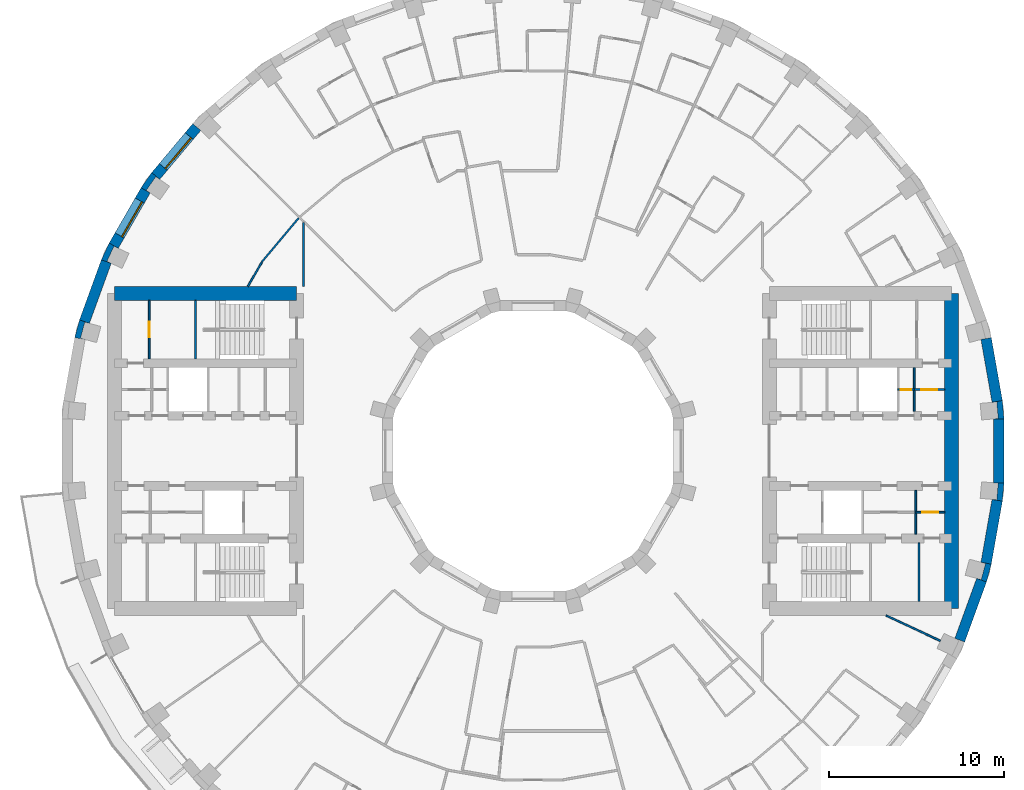
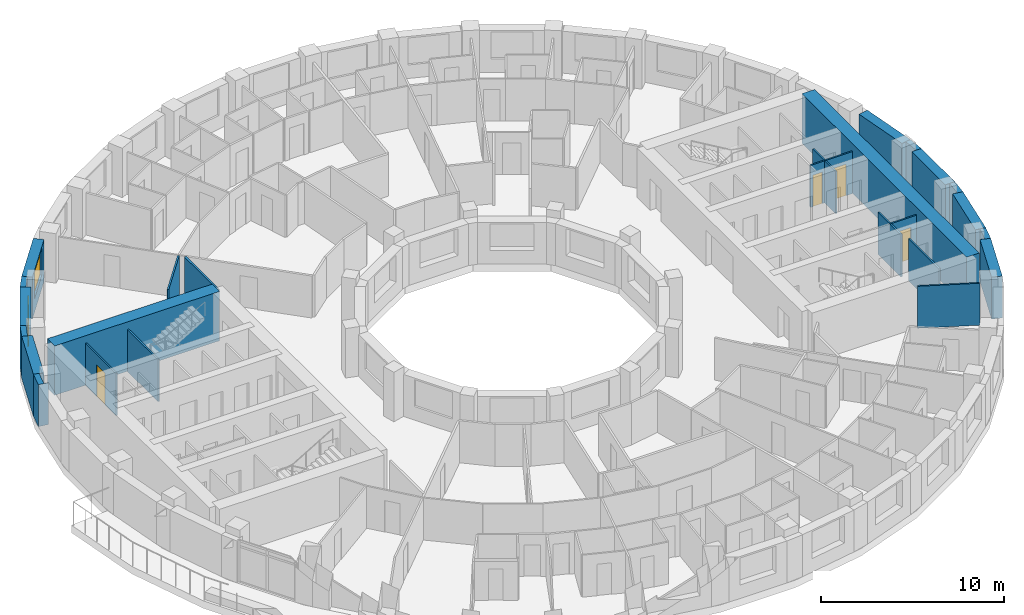
# One storey, part 10 of 16: 27 walls, 4 doors, 2 windows, 6 openings.
"""IFC4 building model written with IfcOpenShell, lengths in metres."""

from ifc_helpers import new_model, si_unit, direction, frame, frame_2d, origin, place, context, subcontext, project, spatial, polyline, rectangle, outline, extrude, material, layer, layer_set, type_object, element, fill, save


model = new_model("IFC4")

# Units and contexts
model_context = context("Model", 3, precision=1e-05, world=origin(), true_north=direction((0.0, 1.0)))
body_context = subcontext(model_context, "Body", "Model", "MODEL_VIEW")
ifc_project = project(units=[si_unit("LENGTHUNIT", "METRE"), si_unit("AREAUNIT", "SQUARE_METRE"), si_unit("VOLUMEUNIT", "CUBIC_METRE"), si_unit("PLANEANGLEUNIT", "RADIAN"), si_unit("MASSUNIT", "GRAM", prefix="KILO")], contexts=[model_context])

# Site, building, storey
site_placement = place(None, origin())
site = spatial("IfcSite", under=ifc_project, at=site_placement, CompositionType="ELEMENT")
building_placement = place(site_placement, origin())
building = spatial("IfcBuilding", under=site, at=building_placement, Name="Saqina Gate Tower", CompositionType="ELEMENT")
storey_placement = place(building_placement, frame((0.0, 0.0, 124.89990234375)))
storey = spatial("IfcBuildingStorey", under=building, at=storey_placement, Name="L35", CompositionType="ELEMENT", Elevation=124.89990234375)

# Walls
ifc_material_1 = material(Name="Brick masonry (buff)", Category="masonry")
wall_type_1 = type_object("IfcWallType", Name="BRICK PIER COPING BUFF", PredefinedType="SOLIDWALL", material=ifc_material_1)
wall_1_placement = place(storey_placement, origin())
element("IfcWall", 1, at=wall_1_placement, inside=storey, type_object=wall_type_1, Name="Pier cap L35 column 1", PredefinedType="SOLIDWALL", context=body_context, shape_type="SweptSolid", body=[
    extrude(outline(polyline([(26.805419921875, 2.87451171875), (26.214599609375, 2.770263671875), (26.482421875, 2.793701171875), (26.565185546875, 1.847412109375), (26.29736328125, 1.823974609375), (26.897216796875, 1.823974609375), (26.805419921875, 2.87451171875)])), origin(), (0.0, 0.0, 1.0), 2.800048828125),
])
wall_2_placement = place(storey_placement, origin())
element("IfcWall", 2, at=wall_2_placement, inside=storey, type_object=wall_type_1, Name="Pier cap L35 column 15", PredefinedType="SOLIDWALL", context=body_context, shape_type="SweptSolid", body=[
    extrude(outline(polyline([(-22.3818359375, 15.0283203125), (-21.862060546875, 14.728271484375), (-22.08251953125, 14.88232421875), (-21.53759765625, 15.66064453125), (-21.317138671875, 15.50634765625), (-21.77685546875, 15.89208984375), (-22.3818359375, 15.0283203125)])), origin(), (0.0, 0.0, 1.0), 2.800048828125),
])
wall_3_placement = place(storey_placement, origin())
element("IfcWall", 3, at=wall_3_placement, inside=storey, type_object=wall_type_1, Name="Pier cap L35 column 16", PredefinedType="SOLIDWALL", context=body_context, shape_type="SweptSolid", body=[
    extrude(outline(polyline([(-24.6513671875, 10.913330078125), (-24.08740234375, 10.7080078125), (-24.331298828125, 10.82177734375), (-23.9296875, 11.6826171875), (-23.68603515625, 11.569091796875), (-24.205810546875, 11.869140625), (-24.6513671875, 10.913330078125)])), origin(), (0.0, 0.0, 1.0), 2.800048828125),
])
wall_4_placement = place(storey_placement, origin())
element("IfcWall", 4, at=wall_4_placement, inside=storey, type_object=wall_type_1, Name="Pier cap L35 column 17", PredefinedType="SOLIDWALL", context=body_context, shape_type="SweptSolid", body=[
    extrude(outline(polyline([(-25.89892578125, 7.485595703125), (-26.171875, 6.466796875), (-25.5810546875, 6.36279296875), (-25.8408203125, 6.43212890625), (-25.5947265625, 7.349853515625), (-25.335205078125, 7.2802734375), (-25.89892578125, 7.485595703125)])), origin(), (0.0, 0.0, 1.0), 2.800048828125),
])
wall_5_placement = place(storey_placement, origin())
element("IfcWall", 5, at=wall_5_placement, inside=storey, type_object=wall_type_1, Name="Pier cap L35 column 35", PredefinedType="SOLIDWALL", context=body_context, shape_type="SweptSolid", body=[
    extrude(outline(polyline([(25.89892578125, -7.485595703125), (26.171875, -6.466796875), (25.5810546875, -6.36279296875), (25.8408203125, -6.43212890625), (25.5947265625, -7.349853515625), (25.335205078125, -7.2802734375), (25.89892578125, -7.485595703125)])), origin(), (0.0, 0.0, 1.0), 2.800048828125),
])
wall_6_placement = place(storey_placement, origin())
element("IfcWall", 6, at=wall_6_placement, inside=storey, type_object=wall_type_1, Name="Pier cap L35 column 36", PredefinedType="SOLIDWALL", context=body_context, shape_type="SweptSolid", body=[
    extrude(outline(polyline([(26.805419921875, -2.87451171875), (26.897216796875, -1.823974609375), (26.29736328125, -1.823974609375), (26.565185546875, -1.847412109375), (26.482421875, -2.793701171875), (26.214599609375, -2.770263671875), (26.805419921875, -2.87451171875)])), origin(), (0.0, 0.0, 1.0), 2.800048828125),
])
ifc_material_2 = material(Name="Gypsum board on steel studs", Category="steel")
ifc_layer_1 = layer(ifc_material_2, 0.10009765625)
ifc_layer_set_1 = layer_set([ifc_layer_1], Name="CORE PARTITION")
wall_type_2 = type_object("IfcWallType", Name="CORE PARTITION", PredefinedType="PARTITIONING", material=ifc_layer_set_1)
for number, where, z_axis, x_axis, name in (
    (7, (21.77099609375, 2.25, 0.0), (0.0, 0.0, 1.0), (0.0, 1.0, 0.0), "L35-CP-E05"),
    (8, (21.8583984375, -4.75, 0.0), (0.0, 0.0, 1.0), (0.0, 1.0, 0.0), "L35-CP-E08"),
):
    element("IfcWall", number, at=place(storey_placement, frame(where, z_axis=z_axis, x_axis=x_axis)), inside=storey, type_object=wall_type_2, Name=name, PredefinedType="PARTITIONING", context=body_context, shape_type="SweptSolid", body=[
        extrude(rectangle(XDim=2.5, YDim=0.10009765625, at=frame_2d((1.25, 0.0))), origin(), (0.0, 0.0, 1.0), 2.800048828125),
    ])

# Wall, opening, door
wall_7_placement = place(storey_placement, frame((20.840087890625, 3.5, 0.0), z_axis=(0.0, 0.0, 1.0), x_axis=(1.0, 0.0, 0.0)))
wall_7 = element("IfcWall", 9, at=wall_7_placement, inside=storey, type_object=wall_type_2, Name="L35-CP-E09", PredefinedType="PARTITIONING", context=body_context, shape_type="SweptSolid", body=[
    extrude(rectangle(XDim=0.930908203125, YDim=0.10009765625, at=frame_2d((0.46533203125, 0.0))), origin(), (0.0, 0.0, 1.0), 2.800048828125),
])
opening_1_placement = place(wall_7_placement, frame((0.14990234375, 0.0, 0.0)))
opening_1 = element("IfcOpeningElement", 10, at=opening_1_placement, cuts=wall_7, Name="Opening G10-D98", PredefinedType="OPENING", context=body_context, shape_type="SweptSolid", body=[
    extrude(rectangle(XDim=0.60009765625, YDim=2.10009765625, at=frame_2d((0.300048828125, 1.050048828125))), frame((0.0, 0.06201171875, 0.0), z_axis=(0.0, -1.0, 0.0), x_axis=(1.0, 0.0, 0.0)), (0.0, 0.0, 1.0), 0.1240234375),
])
ifc_material_3 = material(Name="Steel-framed fire door leaf, EI 60", Category="steel")
door_type_1 = type_object("IfcDoorType", Name="SERVICE ROOM DOOR 600", OperationType="SINGLE_SWING_LEFT", PredefinedType="DOOR", material=ifc_material_3)
door_1_placement = place(opening_1_placement, origin())
door_1 = element("IfcDoor", 11, at=door_1_placement, inside=storey, type_object=door_type_1, Name="L35-CD-E09", OperationType="SINGLE_SWING_LEFT", OverallHeight=2.10009765625, OverallWidth=0.60009765625, PredefinedType="DOOR", context=body_context, shape_type="SweptSolid", body=[
    extrude(rectangle(XDim=0.60009765625, YDim=2.10009765625, at=frame_2d((0.300048828125, 1.050048828125))), frame((0.0, 0.02490234375, 0.0), z_axis=(0.0, -1.0, 0.0), x_axis=(1.0, 0.0, 0.0)), (0.0, 0.0, 1.0), 0.050048828125),
])
fill(opening_1, door_1)

wall_8_placement = place(storey_placement, frame((21.77099609375, 3.5, 0.0), z_axis=(0.0, 0.0, 1.0), x_axis=(1.0, 0.0, 0.0)))
wall_8 = element("IfcWall", 12, at=wall_8_placement, inside=storey, type_object=wall_type_2, Name="L35-CP-E10", PredefinedType="PARTITIONING", context=body_context, shape_type="SweptSolid", body=[
    extrude(rectangle(XDim=1.72900390625, YDim=0.10009765625, at=frame_2d((0.864501953125, 0.0))), origin(), (0.0, 0.0, 1.0), 2.800048828125),
])
opening_2_placement = place(wall_8_placement, frame((0.41455078125, 0.0, 0.0)))
opening_2 = element("IfcOpeningElement", 13, at=opening_2_placement, cuts=wall_8, Name="Opening G10-D99", PredefinedType="OPENING", context=body_context, shape_type="SweptSolid", body=[
    extrude(rectangle(XDim=0.89990234375, YDim=2.10009765625, at=frame_2d((0.449951171875, 1.050048828125))), frame((0.0, 0.06201171875, 0.0), z_axis=(0.0, -1.0, 0.0), x_axis=(1.0, 0.0, 0.0)), (0.0, 0.0, 1.0), 0.1240234375),
])
ifc_material_4 = material(Name="Steel-framed fire door leaf, EI 60", Category="steel")
door_type_2 = type_object("IfcDoorType", Name="SERVICE ROOM DOOR 900", OperationType="SINGLE_SWING_LEFT", PredefinedType="DOOR", material=ifc_material_4)
door_2_placement = place(opening_2_placement, origin())
door_2 = element("IfcDoor", 14, at=door_2_placement, inside=storey, type_object=door_type_2, Name="L35-CD-E10", OperationType="SINGLE_SWING_RIGHT", OverallHeight=2.10009765625, OverallWidth=0.89990234375, PredefinedType="DOOR", context=body_context, shape_type="SweptSolid", body=[
    extrude(rectangle(XDim=0.89990234375, YDim=2.10009765625, at=frame_2d((0.449951171875, 1.050048828125))), frame((0.0, 0.02490234375, 0.0), z_axis=(0.0, -1.0, 0.0), x_axis=(1.0, 0.0, 0.0)), (0.0, 0.0, 1.0), 0.050048828125),
])
fill(opening_2, door_2)

wall_9_placement = place(storey_placement, frame((21.8583984375, -3.5, 0.0), z_axis=(0.0, 0.0, 1.0), x_axis=(1.0, 0.0, 0.0)))
wall_9 = element("IfcWall", 15, at=wall_9_placement, inside=storey, type_object=wall_type_2, Name="L35-CP-E12", PredefinedType="PARTITIONING", context=body_context, shape_type="SweptSolid", body=[
    extrude(rectangle(XDim=1.6416015625, YDim=0.10009765625, at=frame_2d((0.82080078125, 0.0))), origin(), (0.0, 0.0, 1.0), 2.800048828125),
])
opening_3_placement = place(wall_9_placement, frame((0.370849609375, 0.0, 0.0)))
opening_3 = element("IfcOpeningElement", 16, at=opening_3_placement, cuts=wall_9, Name="Opening G10-D102", PredefinedType="OPENING", context=body_context, shape_type="SweptSolid", body=[
    extrude(rectangle(XDim=0.89990234375, YDim=2.10009765625, at=frame_2d((0.449951171875, 1.050048828125))), frame((0.0, 0.06201171875, 0.0), z_axis=(0.0, -1.0, 0.0), x_axis=(1.0, 0.0, 0.0)), (0.0, 0.0, 1.0), 0.1240234375),
])
door_3_placement = place(opening_3_placement, frame((0.89990234375, 0.0, 0.0), z_axis=(0.0, 0.0, 1.0), x_axis=(-1.0, 0.0, 0.0)))
door_3 = element("IfcDoor", 17, at=door_3_placement, inside=storey, type_object=door_type_2, Name="L35-CD-E13", OperationType="SINGLE_SWING_LEFT", OverallHeight=2.10009765625, OverallWidth=0.89990234375, PredefinedType="DOOR", context=body_context, shape_type="SweptSolid", body=[
    extrude(rectangle(XDim=0.89990234375, YDim=2.10009765625, at=frame_2d((0.449951171875, 1.050048828125))), frame((0.0, 0.02490234375, 0.0), z_axis=(0.0, -1.0, 0.0), x_axis=(1.0, 0.0, 0.0)), (0.0, 0.0, 1.0), 0.050048828125),
])
fill(opening_3, door_3)

# Wall
wall_10_placement = place(storey_placement, frame((22.037109375, -8.60009765625, 0.0), z_axis=(0.0, 0.0, 1.0), x_axis=(0.0, 1.0, 0.0)))
element("IfcWall", 18, at=wall_10_placement, inside=storey, type_object=wall_type_2, Name="L35-CP-E16", PredefinedType="PARTITIONING", context=body_context, shape_type="SweptSolid", body=[
    extrude(rectangle(XDim=3.35009765625, YDim=0.10009765625, at=frame_2d((1.675048828125, 0.0))), origin(), (0.0, 0.0, 1.0), 2.800048828125),
])

# Wall, opening, door
wall_11_placement = place(storey_placement, frame((-21.91162109375, 5.25, 0.0), z_axis=(0.0, 0.0, 1.0), x_axis=(0.0, 1.0, 0.0)))
wall_11 = element("IfcWall", 19, at=wall_11_placement, inside=storey, type_object=wall_type_2, Name="L35-CP-W14", PredefinedType="PARTITIONING", context=body_context, shape_type="SweptSolid", body=[
    extrude(rectangle(XDim=3.35009765625, YDim=0.10009765625, at=frame_2d((1.675048828125, 0.0))), origin(), (0.0, 0.0, 1.0), 2.800048828125),
])
opening_4_placement = place(wall_11_placement, frame((1.22509765625, 0.0, 0.0)))
opening_4 = element("IfcOpeningElement", 20, at=opening_4_placement, cuts=wall_11, Name="Opening G10-D120", PredefinedType="OPENING", context=body_context, shape_type="SweptSolid", body=[
    extrude(rectangle(XDim=0.89990234375, YDim=2.10009765625, at=frame_2d((0.449951171875, 1.050048828125))), frame((0.0, 0.06201171875, 0.0), z_axis=(0.0, -1.0, 0.0), x_axis=(1.0, 0.0, 0.0)), (0.0, 0.0, 1.0), 0.1240234375),
])
door_4_placement = place(opening_4_placement, frame((0.89990234375, 0.0, 0.0), z_axis=(0.0, 0.0, 1.0), x_axis=(-1.0, 0.0, 0.0)))
door_4 = element("IfcDoor", 21, at=door_4_placement, inside=storey, type_object=door_type_2, Name="L35-CD-W31", OperationType="SINGLE_SWING_LEFT", OverallHeight=2.10009765625, OverallWidth=0.89990234375, PredefinedType="DOOR", context=body_context, shape_type="SweptSolid", body=[
    extrude(rectangle(XDim=0.89990234375, YDim=2.10009765625, at=frame_2d((0.449951171875, 1.050048828125))), frame((0.0, 0.02490234375, 0.0), z_axis=(0.0, -1.0, 0.0), x_axis=(1.0, 0.0, 0.0)), (0.0, 0.0, 1.0), 0.050048828125),
])
fill(opening_4, door_4)

# Wall, opening, window
ifc_material_5 = material(Name="Brick masonry (buff)", Category="masonry")
ifc_layer_2 = layer(ifc_material_5, 0.60009765625)
ifc_layer_set_2 = layer_set([ifc_layer_2], Name="FW-BRICK-BUFF")
wall_type_3 = type_object("IfcWallType", Name="FW-BRICK-BUFF", PredefinedType="SOLIDWALL", material=ifc_layer_set_2)
wall_12_placement = place(storey_placement, frame((-19.202392578125, 18.49365234375, 0.0), z_axis=(0.0, 0.0, 1.0), x_axis=(-0.642774476932, -0.766055462616, 0.0)))
wall_12 = element("IfcWall", 22, at=wall_12_placement, inside=storey, type_object=wall_type_3, Name="Facade wall L35 facet 14", PredefinedType="SOLIDWALL", context=body_context, shape_type="SweptSolid", body=[
    extrude(rectangle(XDim=3.647705078125, YDim=0.60009765625, at=frame_2d((1.82373046875, 0.0))), origin(), (0.0, 0.0, 1.0), 2.800048828125),
])
opening_5_placement = place(wall_12_placement, frame((0.673828125, 0.0, 0.89990234375)))
opening_5 = element("IfcOpeningElement", 23, at=opening_5_placement, cuts=wall_12, Name="Opening G10-W12", PredefinedType="OPENING", context=body_context, shape_type="SweptSolid", body=[
    extrude(rectangle(XDim=2.300048828125, YDim=1.800048828125, at=frame_2d((1.14990234375, 0.89990234375))), frame((0.0, 0.31201171875, 0.0), z_axis=(0.0, -1.0, 0.0), x_axis=(1.0, 0.0, 0.0)), (0.0, 0.0, 1.0), 0.6240234375),
])
ifc_material_6 = material(Name="Aluminium glazing", Category="aluminium")
window_type = type_object("IfcWindowType", Name="WN-B", PartitioningType="SINGLE_PANEL", PredefinedType="WINDOW", material=ifc_material_6)
window_1_placement = place(opening_5_placement, origin())
window_1 = element("IfcWindow", 24, at=window_1_placement, inside=storey, type_object=window_type, Name="Window L35 facet 14", OverallHeight=1.800048828125, OverallWidth=2.300048828125, PartitioningType="SINGLE_PANEL", PredefinedType="WINDOW", context=body_context, shape_type="SweptSolid", body=[
    extrude(rectangle(XDim=2.300048828125, YDim=1.800048828125, at=frame_2d((1.14990234375, 0.89990234375))), frame((0.0, 0.179931640625, 0.0), z_axis=(0.0, -1.0, 0.0), x_axis=(1.0, 0.0, 0.0)), (0.0, 0.0, 1.0), 0.06005859375),
])
fill(opening_5, window_1)

wall_13_placement = place(storey_placement, frame((-22.1220703125, 14.878173828125, 0.0), z_axis=(0.0, 0.0, 1.0), x_axis=(-0.499954196102, -0.866051847062, 0.0)))
wall_13 = element("IfcWall", 25, at=wall_13_placement, inside=storey, type_object=wall_type_3, Name="Facade wall L35 facet 15", PredefinedType="SOLIDWALL", context=body_context, shape_type="SweptSolid", body=[
    extrude(rectangle(XDim=3.647705078125, YDim=0.60009765625, at=frame_2d((1.82373046875, 0.0))), origin(), (0.0, 0.0, 1.0), 2.800048828125),
])
opening_6_placement = place(wall_13_placement, frame((0.673828125, 0.0, 0.89990234375)))
opening_6 = element("IfcOpeningElement", 26, at=opening_6_placement, cuts=wall_13, Name="Opening G10-W13", PredefinedType="OPENING", context=body_context, shape_type="SweptSolid", body=[
    extrude(rectangle(XDim=2.300048828125, YDim=1.800048828125, at=frame_2d((1.14990234375, 0.89990234375))), frame((0.0, 0.31201171875, 0.0), z_axis=(0.0, -1.0, 0.0), x_axis=(1.0, 0.0, 0.0)), (0.0, 0.0, 1.0), 0.6240234375),
])
window_2_placement = place(opening_6_placement, origin())
window_2 = element("IfcWindow", 27, at=window_2_placement, inside=storey, type_object=window_type, Name="Window L35 facet 15", OverallHeight=1.800048828125, OverallWidth=2.300048828125, PartitioningType="SINGLE_PANEL", PredefinedType="WINDOW", context=body_context, shape_type="SweptSolid", body=[
    extrude(rectangle(XDim=2.300048828125, YDim=1.800048828125, at=frame_2d((1.14990234375, 0.89990234375))), frame((0.0, 0.179931640625, 0.0), z_axis=(0.0, -1.0, 0.0), x_axis=(1.0, 0.0, 0.0)), (0.0, 0.0, 1.0), 0.06005859375),
])
fill(opening_6, window_2)

# Walls
ifc_material_7 = material(Name="Glazed ceramic tile", Category="ceramic")
ifc_layer_3 = layer(ifc_material_7, 0.60009765625)
ifc_layer_set_3 = layer_set([ifc_layer_3], Name="FW-TILE")
wall_type_4 = type_object("IfcWallType", Name="FW-TILE", PredefinedType="SOLIDWALL", material=ifc_layer_set_3)
for number, where, z_axis, x_axis, name in (
    (28, (-24.369384765625, 10.810791015625, 0.0), (0.0, 0.0, 1.0), (-0.341990236633, -0.939703505393, 0.0), "Facade wall L35 facet 16"),
    (29, (24.369384765625, -10.810791015625, 0.0), (0.0, 0.0, 1.0), (0.341990236633, 0.939703505393, 0.0), "Facade wall L35 facet 34"),
    (30, (26.59716796875, -1.823974609375, 0.0), (0.0, 0.0, 1.0), (0.0, 1.0, 0.0), "Facade wall L35 facet 36"),
):
    element("IfcWall", number, at=place(storey_placement, frame(where, z_axis=z_axis, x_axis=x_axis)), inside=storey, type_object=wall_type_4, Name=name, PredefinedType="SOLIDWALL", context=body_context, shape_type="SweptSolid", body=[
        extrude(rectangle(XDim=3.64794921875, YDim=0.60009765625, at=frame_2d((1.823974609375, 0.0))), origin(), (0.0, 0.0, 1.0), 2.800048828125),
    ])
ifc_material_8 = material(Name="Glazed ceramic tile (dark blue)", Category="ceramic")
ifc_layer_4 = layer(ifc_material_8, 0.60009765625)
ifc_layer_set_4 = layer_set([ifc_layer_4], Name="FW-TILE-CB")
wall_type_5 = type_object("IfcWallType", Name="FW-TILE-CB", PredefinedType="SOLIDWALL", material=ifc_layer_set_4)
wall_14_placement = place(storey_placement, frame((25.87646484375, -6.414794921875, 0.0), z_axis=(0.0, 0.0, 1.0), x_axis=(0.173670796382, 0.984803764455, 0.0)))
element("IfcWall", 31, at=wall_14_placement, inside=storey, type_object=wall_type_5, Name="Facade wall L35 facet 35", PredefinedType="SOLIDWALL", context=body_context, shape_type="SweptSolid", body=[
    extrude(rectangle(XDim=3.64794921875, YDim=0.60009765625, at=frame_2d((1.823974609375, 0.0))), origin(), (0.0, 0.0, 1.0), 2.800048828125),
])
ifc_material_9 = material(Name="Glazed ceramic tile (white)", Category="ceramic")
ifc_layer_5 = layer(ifc_material_9, 0.60009765625)
ifc_layer_set_5 = layer_set([ifc_layer_5], Name="FW-TILE-WH")
wall_type_6 = type_object("IfcWallType", Name="FW-TILE-WH", PredefinedType="SOLIDWALL", material=ifc_layer_set_5)
wall_15_placement = place(storey_placement, frame((26.510009765625, 2.822265625, 0.0), z_axis=(0.0, 0.0, 1.0), x_axis=(-0.173670796382, 0.984803764455, 0.0)))
element("IfcWall", 32, at=wall_15_placement, inside=storey, type_object=wall_type_6, Name="Facade wall L35 facet 1", PredefinedType="SOLIDWALL", context=body_context, shape_type="SweptSolid", body=[
    extrude(rectangle(XDim=3.64794921875, YDim=0.60009765625, at=frame_2d((1.823974609375, 0.0))), origin(), (0.0, 0.0, 1.0), 2.800048828125),
])
ifc_material_10 = material(Name="Gypsum board on steel studs, 100 mm", Category="steel")
ifc_layer_6 = layer(ifc_material_10, 0.10009765625)
ifc_layer_set_6 = layer_set([ifc_layer_6], Name="PARTITION 100")
wall_type_7 = type_object("IfcWallType", Name="PARTITION 100", PredefinedType="PARTITIONING", material=ifc_layer_set_6)
wall_16_placement = place(storey_placement, frame((20.159912109375, -9.39990234375, 0.0), z_axis=(0.0, 0.0, 1.0), x_axis=(0.906121146584, -0.423018282954, 0.0)))
element("IfcWall", 33, at=wall_16_placement, inside=storey, type_object=wall_type_7, Name="PARTITION PW3-39", PredefinedType="PARTITIONING", context=body_context, shape_type="SweptSolid", body=[
    extrude(rectangle(XDim=3.42138671875, YDim=0.10009765625, at=frame_2d((1.710693359375, 0.0))), origin(), (0.0, 0.0, 1.0), 2.800048828125),
])
wall_17_placement = place(storey_placement, frame((-15.49072265625, 10.78515625, 0.0), z_axis=(0.0, 0.0, 1.0), x_axis=(0.642706409745, 0.766112570627, 0.0)))
element("IfcWall", 34, at=wall_17_placement, inside=storey, type_object=wall_type_7, Name="PARTITION PW3-87", PredefinedType="PARTITIONING", context=body_context, shape_type="SweptSolid", body=[
    extrude(rectangle(XDim=3.2900390625, YDim=0.10009765625, at=frame_2d((1.64501953125, 0.0))), origin(), (0.0, 0.0, 1.0), 2.800048828125),
])
wall_18_placement = place(storey_placement, frame((-16.281005859375, 9.39794921875, 0.0), z_axis=(0.0, 0.0, 1.0), x_axis=(0.499872473806, 0.866099018549, 0.0)))
element("IfcWall", 35, at=wall_18_placement, inside=storey, type_object=wall_type_7, Name="PARTITION PW3-93", PredefinedType="PARTITIONING", context=body_context, shape_type="SweptSolid", body=[
    extrude(rectangle(XDim=1.5966796875, YDim=0.10009765625, at=frame_2d((0.79833984375, 0.0))), origin(), (0.0, 0.0, 1.0), 2.800048828125),
])
ifc_material_11 = material(Name="Gypsum board on steel studs, 125 mm, fire rated", Category="steel")
ifc_layer_7 = layer(ifc_material_11, 0.125)
ifc_layer_set_7 = layer_set([ifc_layer_7], Name="PARTITION EI 30 125")
wall_type_8 = type_object("IfcWallType", Name="PARTITION EI 30 125", PredefinedType="PARTITIONING", material=ifc_layer_set_7)
wall_19_placement = place(storey_placement, frame((-13.10009765625, 9.39990234375, 0.0), z_axis=(0.0, 0.0, 1.0), x_axis=(0.0, 1.0, 0.0)))
element("IfcWall", 36, at=wall_19_placement, inside=storey, type_object=wall_type_8, Name="PARTITION PW1-61", PredefinedType="PARTITIONING", context=body_context, shape_type="SweptSolid", body=[
    extrude(rectangle(XDim=3.6376953125, YDim=0.125, at=frame_2d((1.81884765625, 0.0))), origin(), (0.0, 0.0, 1.0), 2.800048828125),
])
ifc_material_12 = material(Name="Autoclaved aerated concrete block", Category="concrete")
ifc_layer_8 = layer(ifc_material_12, 0.10009765625)
ifc_layer_set_8 = layer_set([ifc_layer_8], Name="STAIR ENCLOSURE WALL")
wall_type_9 = type_object("IfcWallType", Name="STAIR ENCLOSURE WALL", PredefinedType="PARTITIONING", material=ifc_layer_set_8)
wall_20_placement = place(storey_placement, frame((-19.27001953125, 5.25, 0.0), z_axis=(0.0, 0.0, 1.0), x_axis=(0.0, 1.0, 0.0)))
element("IfcWall", 37, at=wall_20_placement, inside=storey, type_object=wall_type_9, Name="L35-CP-W13", PredefinedType="PARTITIONING", context=body_context, shape_type="SweptSolid", body=[
    extrude(rectangle(XDim=3.35009765625, YDim=0.10009765625, at=frame_2d((1.675048828125, 0.0))), origin(), (0.0, 0.0, 1.0), 2.800048828125),
])
ifc_material_13 = material(Name="Concrete C70/85", Category="concrete")
ifc_layer_9 = layer(ifc_material_13, 0.800048828125)
ifc_layer_set_9 = layer_set([ifc_layer_9], Name="Concrete C70/85")
wall_type_10 = type_object("IfcWallType", Name="STR-CORE WALL-B-O", PredefinedType="SHEAR", material=ifc_layer_set_9)
wall_21_placement = place(storey_placement, frame((23.89990234375, -9.0, 0.0), z_axis=(0.0, 0.0, 1.0), x_axis=(0.0, 1.0, 0.0)))
element("IfcWall", 38, at=wall_21_placement, inside=storey, type_object=wall_type_10, Name="CORE WALL L35 E-W2", PredefinedType="SHEAR", context=body_context, shape_type="SweptSolid", body=[
    extrude(rectangle(XDim=18.0, YDim=0.800048828125, at=frame_2d((9.0, 0.0))), origin(), (0.0, 0.0, 1.0), 3.300048828125),
])
wall_22_placement = place(storey_placement, frame((-13.5, 9.0, 0.0), z_axis=(0.0, 0.0, 1.0), x_axis=(-1.0, 0.0, 0.0)))
element("IfcWall", 39, at=wall_22_placement, inside=storey, type_object=wall_type_10, Name="CORE WALL L35 W-NE", PredefinedType="SHEAR", context=body_context, shape_type="SweptSolid", body=[
    extrude(rectangle(XDim=10.39990234375, YDim=0.800048828125, at=frame_2d((5.199951171875, 0.0))), origin(), (0.0, 0.0, 1.0), 3.300048828125),
])

save(model, "model.ifc")
